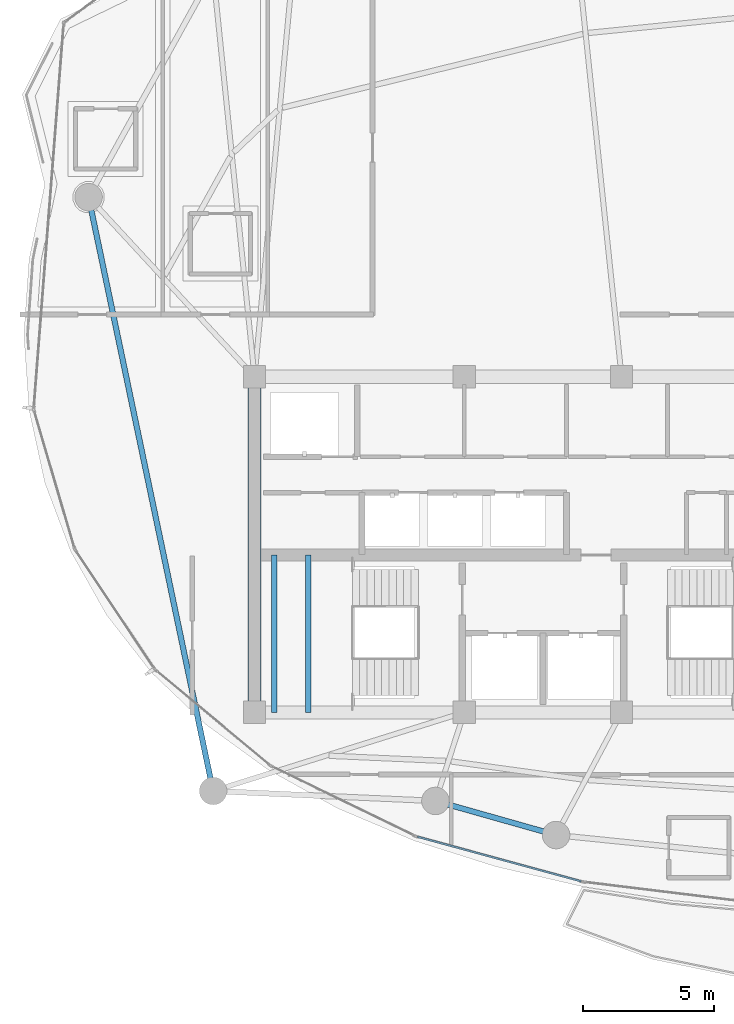
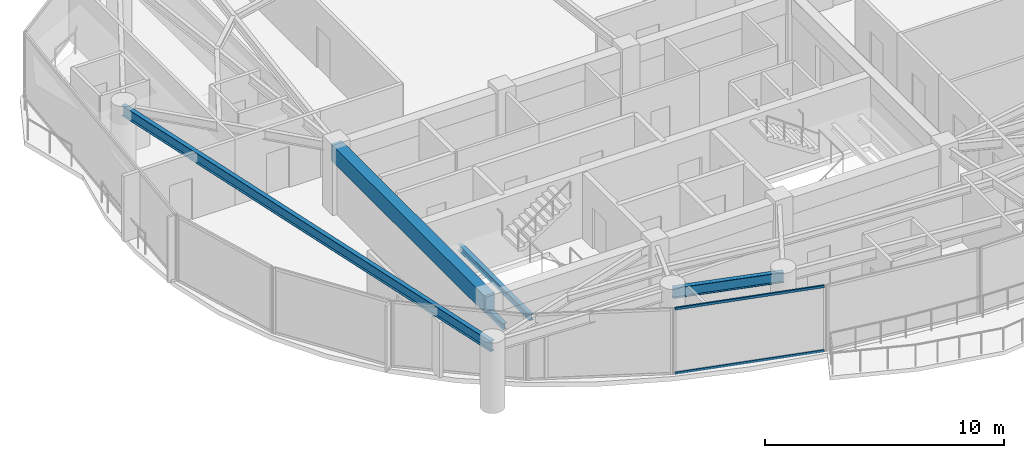
# One storey, part 4 of 31: 5 beams, 2 members, 1 element without a shape of its own.
"""IFC4 building model written with IfcOpenShell, lengths in metres."""

from ifc_helpers import new_model, si_unit, direction, frame, origin, origin_2d, place, context, subcontext, project, spatial, rectangle, hollow_rectangle, i_section, extrude, material, layer, layer_set, material_profile, profile_set, type_object, element, aggregate, save


model = new_model("IFC4")

# Units and contexts
model_context = context("Model", 3, precision=1e-05, world=origin(), true_north=direction((0.0, 1.0)))
body_context = subcontext(model_context, "Body", "Model", "MODEL_VIEW")
ifc_project = project(units=[si_unit("LENGTHUNIT", "METRE"), si_unit("AREAUNIT", "SQUARE_METRE"), si_unit("VOLUMEUNIT", "CUBIC_METRE"), si_unit("PLANEANGLEUNIT", "RADIAN"), si_unit("MASSUNIT", "GRAM", prefix="KILO")], contexts=[model_context])

# Site, building, storey
site_placement = place(None, origin())
site = spatial("IfcSite", under=ifc_project, at=site_placement, CompositionType="ELEMENT")
building_placement = place(site_placement, origin())
building = spatial("IfcBuilding", under=site, at=building_placement, Name="Kazevale Care Tower and Concert Hall", CompositionType="ELEMENT")
storey_placement = place(building_placement, frame((0.0, 0.0, 210.0)))
storey = spatial("IfcBuildingStorey", under=building, at=storey_placement, Name="L55", CompositionType="ELEMENT", Elevation=210.0)

# Curtain wall, members
ifc_material_1 = material(Name="Aluminium 6063-T6 and Low-E Glass", Category="aluminium")
ifc_layer = layer(ifc_material_1, 0.179931640625)
ifc_layer_set = layer_set([ifc_layer], Name="Aluminium 6063-T6 and Low-E Glass")
curtain_wall_type = type_object("IfcCurtainWallType", Name="Sheltered Concave Balcony Curtain Wall CW-5", PredefinedType="NOTDEFINED", material=ifc_layer_set)
curtain_wall_placement = place(storey_placement, origin())
curtain_wall = element("IfcCurtainWall", 1, at=curtain_wall_placement, inside=storey, type_object=curtain_wall_type, Name="cw:L55:f08", PredefinedType="NOTDEFINED")
ifc_material_2 = material(Name="Aluminium 6063-T6", Category="aluminium")
ifc_material_profile_1 = material_profile(ifc_material_2, hollow_rectangle(XDim=0.074951171875, YDim=0.1201171875, WallThickness=0.00390625, at=origin_2d()), Name="ALU75x120x4")
ifc_profile_set_1 = profile_set([ifc_material_profile_1], Name="Aluminium 6063-T6")
member_type = type_object("IfcMemberType", Name="CW-5 Transom ALU75x120x4", PredefinedType="USERDEFINED", material=ifc_profile_set_1)
member_1_placement = place(storey_placement, frame((34.458740234375, 17.15283203125, 0.03759765625), z_axis=(-0.964843890632, 0.262823641842, 0.0), x_axis=(-0.262823641842, -0.964843890632, 0.0)))
member_1 = element("IfcMember", 2, at=member_1_placement, type_object=member_type, Name="CW-5 transom 1.1", ObjectType="TRANSOM", PredefinedType="USERDEFINED", context=body_context, shape_type="SweptSolid", body=[
    extrude(hollow_rectangle(XDim=0.074951171875, YDim=0.1201171875, WallThickness=0.00390625, at=origin_2d()), origin(), (0.0, 0.0, 1.0), 6.469970703125),
])
member_2_placement = place(storey_placement, frame((34.458740234375, 17.15283203125, 3.322509765625), z_axis=(-0.964843890632, 0.262823641842, 0.0), x_axis=(-0.262823641842, -0.964843890632, 0.0)))
member_2 = element("IfcMember", 3, at=member_2_placement, type_object=member_type, Name="CW-5 transom 1.2", ObjectType="TRANSOM", PredefinedType="USERDEFINED", context=body_context, shape_type="SweptSolid", body=[
    extrude(hollow_rectangle(XDim=0.074951171875, YDim=0.1201171875, WallThickness=0.00390625, at=origin_2d()), origin(), (0.0, 0.0, 1.0), 6.469970703125),
])
aggregate(curtain_wall, [member_1, member_2])

# Beams
ifc_material_3 = material(Name="Concrete C60", Category="concrete")
ifc_material_profile_2 = material_profile(ifc_material_3, rectangle(XDim=0.5, YDim=0.85009765625, at=origin_2d()), Name="RC-B500x850")
ifc_profile_set_2 = profile_set([ifc_material_profile_2], Name="Concrete C60")
beam_type_1 = type_object("IfcBeamType", Name="Core Coupling Beam RC500x850", PredefinedType="LINTEL", material=ifc_profile_set_2)
beam_1_placement = place(storey_placement, frame((22.0, 36.39990234375, 2.93505859375), z_axis=(0.0, -1.0, 0.0), x_axis=(1.0, 0.0, 0.0)))
element("IfcBeam", 4, at=beam_1_placement, inside=storey, type_object=beam_type_1, Name="beam:L55:coretie:8", PredefinedType="LINTEL", context=body_context, shape_type="SweptSolid", body=[
    extrude(rectangle(XDim=0.5, YDim=0.85009765625, at=origin_2d()), origin(), (0.0, 0.0, 1.0), 12.7998046875),
])
ifc_material_4 = material(Name="Steel ASTM A572 Gr 50", Category="steel")
ifc_material_profile_3 = material_profile(ifc_material_4, i_section(OverallWidth=0.202880859375, OverallDepth=0.302978515625, WebThickness=0.007568359375, FlangeThickness=0.01318359375, at=origin_2d()), Name="W310x60")
ifc_profile_set_3 = profile_set([ifc_material_profile_3], Name="Steel ASTM A572 Gr 50")
beam_type_2 = type_object("IfcBeamType", Name="Stair & Balcony Trimmer W310x60", PredefinedType="BEAM", material=ifc_profile_set_3)
for number, where, z_axis, x_axis, name in (
    (5, (22.75, 23.60009765625, 1.448486328125), (0.0, 1.0, 0.0), (-1.0, 0.0, 0.0), "beam:L55:sttrim:ST1"),
    (6, (24.050048828125, 23.60009765625, 1.448486328125), (0.0, 1.0, 0.0), (-1.0, 0.0, 0.0), "beam:L55:sttrim:ST1b"),
):
    element("IfcBeam", number, at=place(storey_placement, frame(where, z_axis=z_axis, x_axis=x_axis)), inside=storey, type_object=beam_type_2, Name=name, PredefinedType="BEAM", context=body_context, shape_type="SweptSolid", body=[
        extrude(i_section(OverallWidth=0.202880859375, OverallDepth=0.302978515625, WebThickness=0.007568359375, FlangeThickness=0.01318359375, at=origin_2d()), origin(), (0.0, 0.0, 1.0), 6.0),
    ])
ifc_material_profile_4 = material_profile(ifc_material_4, i_section(OverallWidth=0.208984375, OverallDepth=0.532958984375, WebThickness=0.01025390625, FlangeThickness=0.015625, at=origin_2d()), Name="W530x92")
ifc_profile_set_4 = profile_set([ifc_material_profile_4], Name="Steel ASTM A572 Gr 50")
beam_type_3 = type_object("IfcBeamType", Name="Upper Ring Beam W530x92", PredefinedType="BEAM", material=ifc_profile_set_4)
beam_2_placement = place(storey_placement, frame((15.669921875, 43.25, 3.093505859375), z_axis=(0.205249071222, -0.978709772488, 0.0), x_axis=(0.978709772488, 0.205249071222, 0.0)))
element("IfcBeam", 7, at=beam_2_placement, inside=storey, type_object=beam_type_3, Name="beam:L55:ring:09", PredefinedType="BEAM", context=body_context, shape_type="SweptSolid", body=[
    extrude(i_section(OverallWidth=0.208984375, OverallDepth=0.532958984375, WebThickness=0.01025390625, FlangeThickness=0.015625, at=origin_2d()), origin(), (0.0, 0.0, 1.0), 23.142578125),
])
beam_3_placement = place(storey_placement, frame((28.89990234375, 20.219970703125, 3.093505859375), z_axis=(0.962308240836, -0.271961117846, 0.0), x_axis=(0.271961117846, 0.962308240836, 0.0)))
element("IfcBeam", 8, at=beam_3_placement, inside=storey, type_object=beam_type_3, Name="beam:L55:ring:11", PredefinedType="BEAM", context=body_context, shape_type="SweptSolid", body=[
    extrude(i_section(OverallWidth=0.208984375, OverallDepth=0.532958984375, WebThickness=0.01025390625, FlangeThickness=0.015625, at=origin_2d()), origin(), (0.0, 0.0, 1.0), 4.7802734375),
])

save(model, "model.ifc")
